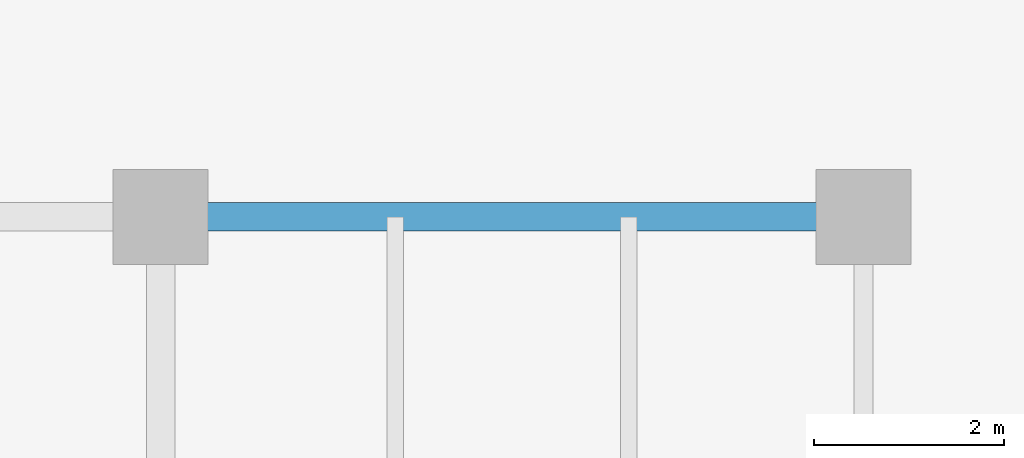
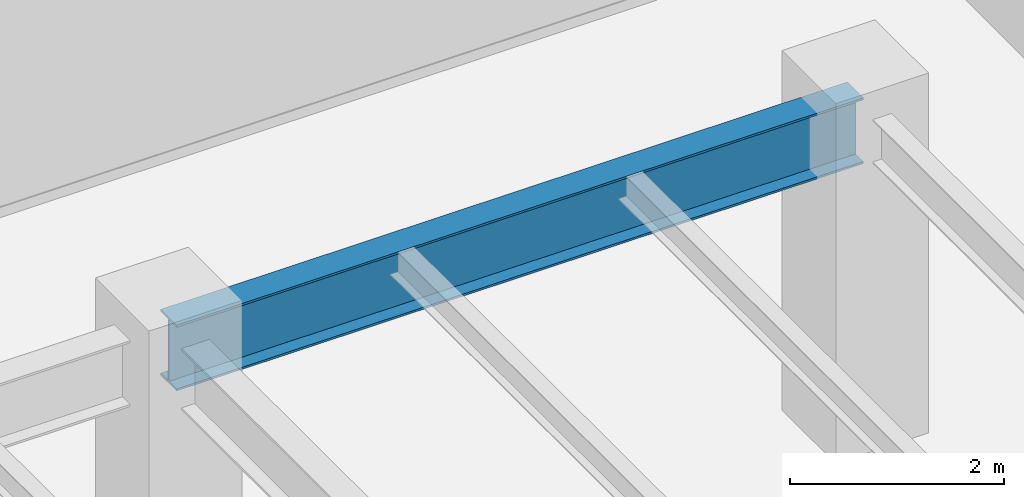
# One storey, part 21 of 35: 1 beam.
"""IFC4 building model written with IfcOpenShell, lengths in metres."""

from ifc_helpers import new_model, si_unit, direction, frame, origin, origin_2d, place, context, subcontext, project, spatial, i_section, extrude, source, transform, mapped, material, material_profile, profile_set, type_object, type_shapes, element, save


model = new_model("IFC4")

# Units and contexts
model_context = context("Model", 3, precision=1e-05, world=origin(), true_north=direction((0.0, 1.0)))
body_context = subcontext(model_context, "Body", "Model", "MODEL_VIEW")
ifc_project = project(units=[si_unit("LENGTHUNIT", "METRE"), si_unit("AREAUNIT", "SQUARE_METRE"), si_unit("VOLUMEUNIT", "CUBIC_METRE"), si_unit("PLANEANGLEUNIT", "RADIAN"), si_unit("MASSUNIT", "GRAM", prefix="KILO")], contexts=[model_context])

# Site, building, storey
site_placement = place(None, origin())
site = spatial("IfcSite", under=ifc_project, at=site_placement, CompositionType="ELEMENT")
building_placement = place(site_placement, origin())
building = spatial("IfcBuilding", under=site, at=building_placement, Name="Haelvirn Gate Laboratories", CompositionType="ELEMENT")
storey_placement = place(building_placement, frame((0.0, 0.0, 41.60009765625)))
storey = spatial("IfcBuildingStorey", under=building, at=storey_placement, Name="L10", CompositionType="ELEMENT", Elevation=41.60009765625)

# Beam
ifc_material = material(Name="Steel SM355", Category="steel")
ifc_material_profile = material_profile(ifc_material, i_section(OverallWidth=0.300048828125, OverallDepth=0.75, WebThickness=0.013916015625, FlangeThickness=0.02392578125, at=origin_2d()), Name="H-750x300x14x24")
ifc_profile_set = profile_set([ifc_material_profile], Name="Steel SM355")
beam_type = type_object("IfcBeamType", Name="BM-G-750", PredefinedType="BEAM", material=ifc_profile_set)
shared_shape = source(origin(), body_context, "Body", "SweptSolid", [
    extrude(i_section(OverallWidth=0.300048828125, OverallDepth=0.75, WebThickness=0.013916015625, FlangeThickness=0.02392578125, at=origin_2d()), origin(), (0.0, 0.0, 1.0), 7.39990234375),
])
type_shapes(beam_type, [shared_shape])
beam_placement = place(storey_placement, frame((60.0, 41.60009765625, 3.40478515625), z_axis=(1.0, 0.0, 0.0), x_axis=(0.0, 1.0, 0.0)))
element("IfcBeam", 1, at=beam_placement, inside=storey, type_object=beam_type, Name="L10 Primary Girder Y41.6 (60.0-67.4)", PredefinedType="BEAM", context=body_context, shape_type="MappedRepresentation", body=[
    mapped(shared_shape, transform((0.0, 0.0, 0.0), scale=1.0)),
])

save(model, "model.ifc")
